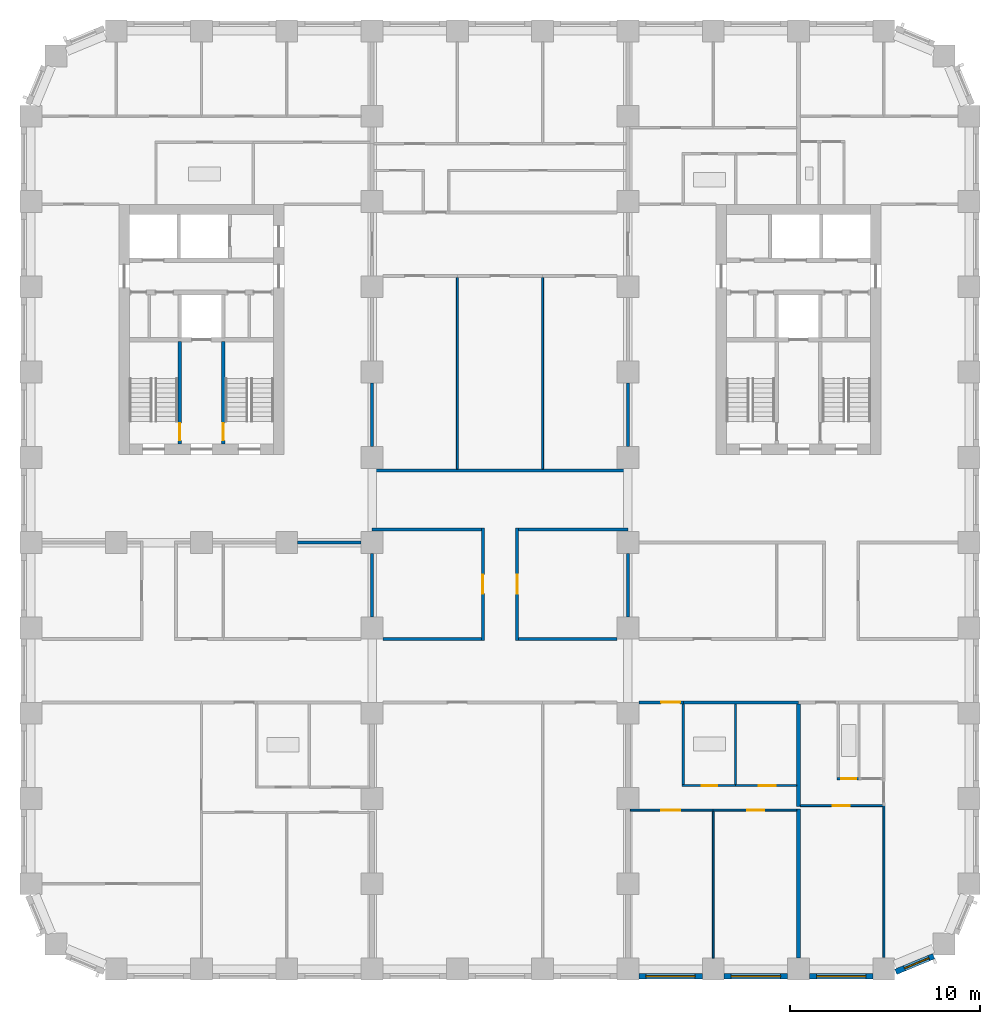
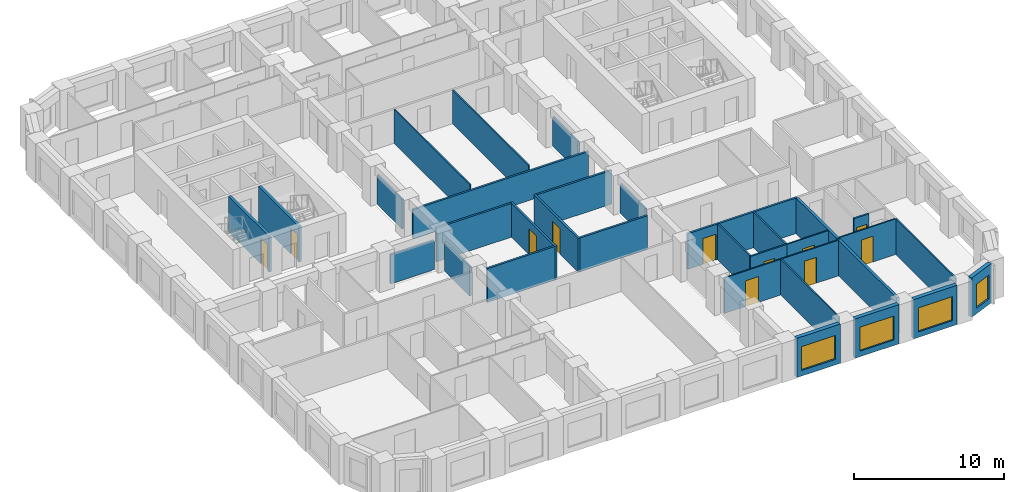
# One storey, part 4 of 13: 34 walls, 11 doors, 4 windows, 15 openings.
"""IFC4 building model written with IfcOpenShell, lengths in metres."""

from ifc_helpers import new_model, si_unit, direction, frame, frame_2d, origin, place, context, subcontext, project, spatial, rectangle, extrude, material, layer, layer_set, type_object, element, fill, save


model = new_model("IFC4")

# Units and contexts
model_context = context("Model", 3, precision=1e-05, world=origin(), true_north=direction((0.0, 1.0)))
body_context = subcontext(model_context, "Body", "Model", "MODEL_VIEW")
ifc_project = project(units=[si_unit("LENGTHUNIT", "METRE"), si_unit("AREAUNIT", "SQUARE_METRE"), si_unit("VOLUMEUNIT", "CUBIC_METRE"), si_unit("PLANEANGLEUNIT", "RADIAN"), si_unit("MASSUNIT", "GRAM", prefix="KILO")], contexts=[model_context])

# Site, building, storey
site_placement = place(None, origin())
site = spatial("IfcSite", under=ifc_project, at=site_placement, CompositionType="ELEMENT")
building_placement = place(site_placement, origin())
building = spatial("IfcBuilding", under=site, at=building_placement, Name="Girih Gate Residences", CompositionType="ELEMENT")
storey_placement = place(building_placement, frame((0.0, 0.0, 92.800048828125)))
storey = spatial("IfcBuildingStorey", under=building, at=storey_placement, Name="L25", CompositionType="ELEMENT", Elevation=92.800048828125)

# Wall
ifc_material_1 = material(Name="Gypsum board on steel studs", Category="steel")
ifc_layer_1 = layer(ifc_material_1, 0.14990234375)
ifc_layer_set_1 = layer_set([ifc_layer_1], Name="Compartment wall 150 mm")
wall_type_1 = type_object("IfcWallType", Name="Compartment wall 150 mm", PredefinedType="PARTITIONING", material=ifc_layer_set_1)
wall_1_placement = place(storey_placement, frame((34.425048828125, 14.074951171875, 0.0), z_axis=(0.0, 0.0, 1.0), x_axis=(1.0, 0.0, 0.0)))
element("IfcWall", 1, at=wall_1_placement, inside=storey, type_object=wall_type_1, Name="L25 partition", PredefinedType="PARTITIONING", context=body_context, shape_type="SweptSolid", body=[
    extrude(rectangle(XDim=6.074951171875, YDim=0.14990234375, at=frame_2d((3.03759765625, 0.0))), origin(), (0.0, 0.0, 1.0), 2.89990234375),
])

# Wall, opening, door
wall_2_placement = place(storey_placement, frame((34.425048828125, 14.074951171875, 0.0), z_axis=(0.0, 0.0, 1.0), x_axis=(-1.0, 0.0, 0.0)))
wall_2 = element("IfcWall", 2, at=wall_2_placement, inside=storey, type_object=wall_type_1, Name="L25 partition", PredefinedType="PARTITIONING", context=body_context, shape_type="SweptSolid", body=[
    extrude(rectangle(XDim=2.35009765625, YDim=0.14990234375, at=frame_2d((1.175048828125, 0.0))), origin(), (0.0, 0.0, 1.0), 2.89990234375),
])
opening_1_placement = place(wall_2_placement, frame((0.175048828125, 0.0, 0.0)))
opening_1 = element("IfcOpeningElement", 3, at=opening_1_placement, cuts=wall_2, Name="Opening A25-024", PredefinedType="OPENING", context=body_context, shape_type="SweptSolid", body=[
    extrude(rectangle(XDim=1.0, YDim=2.10009765625, at=frame_2d((0.5, 1.050048828125))), frame((0.0, 0.0849609375, 0.0), z_axis=(0.0, -1.0, 0.0), x_axis=(1.0, 0.0, 0.0)), (0.0, 0.0, 1.0), 0.169921875),
])
ifc_material_2 = material(Name="Timber, fire-rated core", Category="wood")
door_type_1 = type_object("IfcDoorType", Name="Flat entrance door 1000x2100 FD30S", OperationType="NOTDEFINED", PredefinedType="DOOR", material=ifc_material_2)
door_1_placement = place(opening_1_placement, origin())
door_1 = element("IfcDoor", 4, at=door_1_placement, inside=storey, type_object=door_type_1, Name="Door A25-024", OperationType="SINGLE_SWING_LEFT", OverallHeight=2.10009765625, OverallWidth=1.0, PredefinedType="DOOR", context=body_context, shape_type="SweptSolid", body=[
    extrude(rectangle(XDim=1.0, YDim=2.10009765625, at=frame_2d((0.5, 1.050048828125))), frame((0.0, 0.02490234375, 0.0), z_axis=(0.0, -1.0, 0.0), x_axis=(1.0, 0.0, 0.0)), (0.0, 0.0, 1.0), 0.050048828125),
])
fill(opening_1, door_1)

wall_3_placement = place(storey_placement, frame((23.85009765625, 17.35009765625, 0.0), z_axis=(0.0, 0.0, 1.0), x_axis=(0.0, 1.0, 0.0)))
wall_3 = element("IfcWall", 5, at=wall_3_placement, inside=storey, type_object=wall_type_1, Name="L25 partition", PredefinedType="PARTITIONING", context=body_context, shape_type="SweptSolid", body=[
    extrude(rectangle(XDim=5.9248046875, YDim=0.14990234375, at=frame_2d((2.96240234375, 0.0))), origin(), (0.0, 0.0, 1.0), 2.75),
])
opening_2_placement = place(wall_3_placement, frame((2.46240234375, 0.0, 0.0)))
opening_2 = element("IfcOpeningElement", 6, at=opening_2_placement, cuts=wall_3, Name="Opening A25-048", PredefinedType="OPENING", context=body_context, shape_type="SweptSolid", body=[
    extrude(rectangle(XDim=1.0, YDim=2.10009765625, at=frame_2d((0.5, 1.050048828125))), frame((0.0, 0.0849609375, 0.0), z_axis=(0.0, -1.0, 0.0), x_axis=(1.0, 0.0, 0.0)), (0.0, 0.0, 1.0), 0.169921875),
])
door_type_2 = type_object("IfcDoorType", Name="Amenity room door 1000x2100 FD30S", OperationType="NOTDEFINED", PredefinedType="DOOR", material=ifc_material_2)
door_2_placement = place(opening_2_placement, origin())
door_2 = element("IfcDoor", 7, at=door_2_placement, inside=storey, type_object=door_type_2, Name="Door A25-048", OperationType="SINGLE_SWING_RIGHT", OverallHeight=2.10009765625, OverallWidth=1.0, PredefinedType="DOOR", context=body_context, shape_type="SweptSolid", body=[
    extrude(rectangle(XDim=1.0, YDim=2.10009765625, at=frame_2d((0.5, 1.050048828125))), frame((0.0, 0.02490234375, 0.0), z_axis=(0.0, -1.0, 0.0), x_axis=(1.0, 0.0, 0.0)), (0.0, 0.0, 1.0), 0.050048828125),
])
fill(opening_2, door_2)

wall_4_placement = place(storey_placement, frame((25.64990234375, 23.27490234375, 0.0), z_axis=(0.0, 0.0, 1.0), x_axis=(0.0, -1.0, 0.0)))
wall_4 = element("IfcWall", 8, at=wall_4_placement, inside=storey, type_object=wall_type_1, Name="L25 partition", PredefinedType="PARTITIONING", context=body_context, shape_type="SweptSolid", body=[
    extrude(rectangle(XDim=5.9248046875, YDim=0.14990234375, at=frame_2d((2.96240234375, 0.0))), origin(), (0.0, 0.0, 1.0), 2.75),
])
opening_3_placement = place(wall_4_placement, frame((2.46240234375, 0.0, 0.0)))
opening_3 = element("IfcOpeningElement", 9, at=opening_3_placement, cuts=wall_4, Name="Opening A25-049", PredefinedType="OPENING", context=body_context, shape_type="SweptSolid", body=[
    extrude(rectangle(XDim=1.0, YDim=2.10009765625, at=frame_2d((0.5, 1.050048828125))), frame((0.0, 0.0849609375, 0.0), z_axis=(0.0, -1.0, 0.0), x_axis=(1.0, 0.0, 0.0)), (0.0, 0.0, 1.0), 0.169921875),
])
door_3_placement = place(opening_3_placement, origin())
door_3 = element("IfcDoor", 10, at=door_3_placement, inside=storey, type_object=door_type_2, Name="Door A25-049", OperationType="SINGLE_SWING_RIGHT", OverallHeight=2.10009765625, OverallWidth=1.0, PredefinedType="DOOR", context=body_context, shape_type="SweptSolid", body=[
    extrude(rectangle(XDim=1.0, YDim=2.10009765625, at=frame_2d((0.5, 1.050048828125))), frame((0.0, 0.02490234375, 0.0), z_axis=(0.0, -1.0, 0.0), x_axis=(1.0, 0.0, 0.0)), (0.0, 0.0, 1.0), 0.050048828125),
])
fill(opening_3, door_3)

# Walls
for number, where, z_axis, x_axis, name in (
    (11, (18.574951171875, 17.425048828125, 0.0), (0.0, 0.0, 1.0), (1.0, 0.0, 0.0), "L25 partition"),
    (12, (25.72509765625, 17.425048828125, 0.0), (0.0, 0.0, 1.0), (1.0, 0.0, 0.0), "L25 partition"),
):
    element("IfcWall", number, at=place(storey_placement, frame(where, z_axis=z_axis, x_axis=x_axis)), inside=storey, type_object=wall_type_1, Name=name, PredefinedType="PARTITIONING", context=body_context, shape_type="SweptSolid", body=[
        extrude(rectangle(XDim=5.199951171875, YDim=0.14990234375, at=frame_2d((2.60009765625, 0.0))), origin(), (0.0, 0.0, 1.0), 2.75),
    ])
wall_5_placement = place(storey_placement, frame((18.0, 27.574951171875, 0.0), z_axis=(0.0, 0.0, 1.0), x_axis=(0.0, 1.0, 0.0)))
element("IfcWall", 13, at=wall_5_placement, inside=storey, type_object=wall_type_1, Name="L25 partition", PredefinedType="PARTITIONING", context=body_context, shape_type="SweptSolid", body=[
    extrude(rectangle(XDim=3.35009765625, YDim=0.14990234375, at=frame_2d((1.675048828125, 0.0))), origin(), (0.0, 0.0, 1.0), 2.3798828125),
])
wall_6_placement = place(storey_placement, frame((18.0, 26.300048828125, 0.0), z_axis=(0.0, 0.0, 1.0), x_axis=(1.0, 0.0, 0.0)))
element("IfcWall", 14, at=wall_6_placement, inside=storey, type_object=wall_type_1, Name="L25 partition", PredefinedType="PARTITIONING", context=body_context, shape_type="SweptSolid", body=[
    extrude(rectangle(XDim=13.5, YDim=0.14990234375, at=frame_2d((6.75, 0.0))), origin(), (0.0, 0.0, 1.0), 2.3798828125),
])
wall_7_placement = place(storey_placement, frame((31.5, 27.574951171875, 0.0), z_axis=(0.0, 0.0, 1.0), x_axis=(0.0, 1.0, 0.0)))
element("IfcWall", 15, at=wall_7_placement, inside=storey, type_object=wall_type_1, Name="L25 partition", PredefinedType="PARTITIONING", context=body_context, shape_type="SweptSolid", body=[
    extrude(rectangle(XDim=3.35009765625, YDim=0.14990234375, at=frame_2d((1.675048828125, 0.0))), origin(), (0.0, 0.0, 1.0), 2.3798828125),
])
wall_8_placement = place(storey_placement, frame((18.0, 23.199951171875, 0.0), z_axis=(0.0, 0.0, 1.0), x_axis=(1.0, 0.0, 0.0)))
element("IfcWall", 16, at=wall_8_placement, inside=storey, type_object=wall_type_1, Name="L25 partition", PredefinedType="PARTITIONING", context=body_context, shape_type="SweptSolid", body=[
    extrude(rectangle(XDim=5.77490234375, YDim=0.14990234375, at=frame_2d((2.887451171875, 0.0))), origin(), (0.0, 0.0, 1.0), 2.75),
])
wall_9_placement = place(storey_placement, frame((18.0, 18.574951171875, 0.0), z_axis=(0.0, 0.0, 1.0), x_axis=(0.0, 1.0, 0.0)))
element("IfcWall", 17, at=wall_9_placement, inside=storey, type_object=wall_type_1, Name="L25 partition", PredefinedType="PARTITIONING", context=body_context, shape_type="SweptSolid", body=[
    extrude(rectangle(XDim=3.35009765625, YDim=0.14990234375, at=frame_2d((1.675048828125, 0.0))), origin(), (0.0, 0.0, 1.0), 2.3798828125),
])
wall_10_placement = place(storey_placement, frame((25.72509765625, 23.199951171875, 0.0), z_axis=(0.0, 0.0, 1.0), x_axis=(1.0, 0.0, 0.0)))
element("IfcWall", 18, at=wall_10_placement, inside=storey, type_object=wall_type_1, Name="L25 partition", PredefinedType="PARTITIONING", context=body_context, shape_type="SweptSolid", body=[
    extrude(rectangle(XDim=5.77490234375, YDim=0.14990234375, at=frame_2d((2.887451171875, 0.0))), origin(), (0.0, 0.0, 1.0), 2.75),
])
for number, where, z_axis, x_axis, name in (
    (19, (31.5, 18.574951171875, 0.0), (0.0, 0.0, 1.0), (0.0, 1.0, 0.0), "L25 partition"),
    (20, (14.074951171875, 22.5, 0.0), (0.0, 0.0, 1.0), (1.0, 0.0, 0.0), "L25 partition"),
):
    element("IfcWall", number, at=place(storey_placement, frame(where, z_axis=z_axis, x_axis=x_axis)), inside=storey, type_object=wall_type_1, Name=name, PredefinedType="PARTITIONING", context=body_context, shape_type="SweptSolid", body=[
        extrude(rectangle(XDim=3.35009765625, YDim=0.14990234375, at=frame_2d((1.675048828125, 0.0))), origin(), (0.0, 0.0, 1.0), 2.3798828125),
    ])

# Wall, opening, door
ifc_layer_2 = layer(ifc_material_1, 0.10009765625)
ifc_layer_set_2 = layer_set([ifc_layer_2], Name="Partition 100 mm")
wall_type_2 = type_object("IfcWallType", Name="Partition 100 mm", PredefinedType="PARTITIONING", material=ifc_layer_set_2)
wall_11_placement = place(storey_placement, frame((44.949951171875, 8.625, 0.0), z_axis=(0.0, 0.0, 1.0), x_axis=(-1.0, 0.0, 0.0)))
wall_11 = element("IfcWall", 21, at=wall_11_placement, inside=storey, type_object=wall_type_2, Name="L25 partition", PredefinedType="PARTITIONING", context=body_context, shape_type="SweptSolid", body=[
    extrude(rectangle(XDim=4.349853515625, YDim=0.10009765625, at=frame_2d((2.1748046875, 0.0))), origin(), (0.0, 0.0, 1.0), 2.89990234375),
])
opening_4_placement = place(wall_11_placement, frame((1.75, 0.0, 0.0)))
opening_4 = element("IfcOpeningElement", 22, at=opening_4_placement, cuts=wall_11, Name="Opening A25-016", PredefinedType="OPENING", context=body_context, shape_type="SweptSolid", body=[
    extrude(rectangle(XDim=0.89990234375, YDim=2.10009765625, at=frame_2d((0.449951171875, 1.050048828125))), frame((0.0, 0.06005859375, 0.0), z_axis=(0.0, -1.0, 0.0), x_axis=(1.0, 0.0, 0.0)), (0.0, 0.0, 1.0), 0.1201171875),
])
ifc_material_3 = material(Name="Timber", Category="wood")
door_type_3 = type_object("IfcDoorType", Name="Bedroom door 900x2100", OperationType="NOTDEFINED", PredefinedType="DOOR", material=ifc_material_3)
door_4_placement = place(opening_4_placement, origin())
door_4 = element("IfcDoor", 23, at=door_4_placement, inside=storey, type_object=door_type_3, Name="Door A25-016", OperationType="SINGLE_SWING_RIGHT", OverallHeight=2.10009765625, OverallWidth=0.89990234375, PredefinedType="DOOR", context=body_context, shape_type="SweptSolid", body=[
    extrude(rectangle(XDim=0.89990234375, YDim=2.10009765625, at=frame_2d((0.449951171875, 1.050048828125))), frame((0.0, 0.02490234375, 0.0), z_axis=(0.0, -1.0, 0.0), x_axis=(1.0, 0.0, 0.0)), (0.0, 0.0, 1.0), 0.050048828125),
])
fill(opening_4, door_4)

# Wall
wall_12_placement = place(storey_placement, frame((45.0, 0.622314453125, 0.0), z_axis=(0.0, 0.0, 1.0), x_axis=(0.0, 1.0, 0.0)))
element("IfcWall", 24, at=wall_12_placement, inside=storey, type_object=wall_type_2, Name="L25 partition", PredefinedType="PARTITIONING", context=body_context, shape_type="SweptSolid", body=[
    extrude(rectangle(XDim=8.002685546875, YDim=0.10009765625, at=frame_2d((4.00146484375, 0.0))), origin(), (0.0, 0.0, 1.0), 2.89990234375),
])

# Wall, opening, door
wall_13_placement = place(storey_placement, frame((40.39990234375, 8.385009765625, 0.0), z_axis=(0.0, 0.0, 1.0), x_axis=(-1.0, 0.0, 0.0)))
wall_13 = element("IfcWall", 25, at=wall_13_placement, inside=storey, type_object=wall_type_2, Name="L25 partition", PredefinedType="PARTITIONING", context=body_context, shape_type="SweptSolid", body=[
    extrude(rectangle(XDim=4.39990234375, YDim=0.10009765625, at=frame_2d((2.199951171875, 0.0))), origin(), (0.0, 0.0, 1.0), 2.89990234375),
])
opening_5_placement = place(wall_13_placement, frame((1.699951171875, 0.0, 0.0)))
opening_5 = element("IfcOpeningElement", 26, at=opening_5_placement, cuts=wall_13, Name="Opening A25-021", PredefinedType="OPENING", context=body_context, shape_type="SweptSolid", body=[
    extrude(rectangle(XDim=0.89990234375, YDim=2.10009765625, at=frame_2d((0.449951171875, 1.050048828125))), frame((0.0, 0.06005859375, 0.0), z_axis=(0.0, -1.0, 0.0), x_axis=(1.0, 0.0, 0.0)), (0.0, 0.0, 1.0), 0.1201171875),
])
door_5_placement = place(opening_5_placement, origin())
door_5 = element("IfcDoor", 27, at=door_5_placement, inside=storey, type_object=door_type_3, Name="Door A25-021", OperationType="SINGLE_SWING_LEFT", OverallHeight=2.10009765625, OverallWidth=0.89990234375, PredefinedType="DOOR", context=body_context, shape_type="SweptSolid", body=[
    extrude(rectangle(XDim=0.89990234375, YDim=2.10009765625, at=frame_2d((0.449951171875, 1.050048828125))), frame((0.0, 0.02490234375, 0.0), z_axis=(0.0, -1.0, 0.0), x_axis=(1.0, 0.0, 0.0)), (0.0, 0.0, 1.0), 0.050048828125),
])
fill(opening_5, door_5)

# Wall
wall_14_placement = place(storey_placement, frame((36.0, 0.574951171875, 0.0), z_axis=(0.0, 0.0, 1.0), x_axis=(0.0, 1.0, 0.0)))
element("IfcWall", 28, at=wall_14_placement, inside=storey, type_object=wall_type_2, Name="L25 partition", PredefinedType="PARTITIONING", context=body_context, shape_type="SweptSolid", body=[
    extrude(rectangle(XDim=7.760009765625, YDim=0.10009765625, at=frame_2d((3.8798828125, 0.0))), origin(), (0.0, 0.0, 1.0), 2.89990234375),
])

# Wall, opening, door
wall_15_placement = place(storey_placement, frame((37.17822265625, 9.68505859375, 0.0), z_axis=(0.0, 0.0, 1.0), x_axis=(1.0, 0.0, 0.0)))
wall_15 = element("IfcWall", 29, at=wall_15_placement, inside=storey, type_object=wall_type_2, Name="L25 partition", PredefinedType="PARTITIONING", context=body_context, shape_type="SweptSolid", body=[
    extrude(rectangle(XDim=3.2216796875, YDim=0.10009765625, at=frame_2d((1.61083984375, 0.0))), origin(), (0.0, 0.0, 1.0), 2.89990234375),
])
opening_6_placement = place(wall_15_placement, frame((1.2109375, 0.0, 0.0)))
opening_6 = element("IfcOpeningElement", 30, at=opening_6_placement, cuts=wall_15, Name="Opening A25-022", PredefinedType="OPENING", context=body_context, shape_type="SweptSolid", body=[
    extrude(rectangle(XDim=0.89990234375, YDim=2.10009765625, at=frame_2d((0.449951171875, 1.050048828125))), frame((0.0, 0.06005859375, 0.0), z_axis=(0.0, -1.0, 0.0), x_axis=(1.0, 0.0, 0.0)), (0.0, 0.0, 1.0), 0.1201171875),
])
door_type_4 = type_object("IfcDoorType", Name="Kitchen door 900x2100", OperationType="NOTDEFINED", PredefinedType="DOOR", material=ifc_material_3)
door_6_placement = place(opening_6_placement, origin())
door_6 = element("IfcDoor", 31, at=door_6_placement, inside=storey, type_object=door_type_4, Name="Door A25-022", OperationType="SINGLE_SWING_RIGHT", OverallHeight=2.10009765625, OverallWidth=0.89990234375, PredefinedType="DOOR", context=body_context, shape_type="SweptSolid", body=[
    extrude(rectangle(XDim=0.89990234375, YDim=2.10009765625, at=frame_2d((0.449951171875, 1.050048828125))), frame((0.0, 0.02490234375, 0.0), z_axis=(0.0, -1.0, 0.0), x_axis=(1.0, 0.0, 0.0)), (0.0, 0.0, 1.0), 0.050048828125),
])
fill(opening_6, door_6)

wall_16_placement = place(storey_placement, frame((36.0, 8.385009765625, 0.0), z_axis=(0.0, 0.0, 1.0), x_axis=(-1.0, 0.0, 0.0)))
wall_16 = element("IfcWall", 32, at=wall_16_placement, inside=storey, type_object=wall_type_2, Name="L25 partition", PredefinedType="PARTITIONING", context=body_context, shape_type="SweptSolid", body=[
    extrude(rectangle(XDim=4.375, YDim=0.10009765625, at=frame_2d((2.1875, 0.0))), origin(), (0.0, 0.0, 1.0), 2.89990234375),
])
opening_7_placement = place(wall_16_placement, frame((1.75, 0.0, 0.0)))
opening_7 = element("IfcOpeningElement", 33, at=opening_7_placement, cuts=wall_16, Name="Opening A25-023", PredefinedType="OPENING", context=body_context, shape_type="SweptSolid", body=[
    extrude(rectangle(XDim=1.0, YDim=2.10009765625, at=frame_2d((0.5, 1.050048828125))), frame((0.0, 0.06005859375, 0.0), z_axis=(0.0, -1.0, 0.0), x_axis=(1.0, 0.0, 0.0)), (0.0, 0.0, 1.0), 0.1201171875),
])
door_type_5 = type_object("IfcDoorType", Name="Living room door 1000x2100", OperationType="NOTDEFINED", PredefinedType="DOOR", material=ifc_material_3)
door_7_placement = place(opening_7_placement, origin())
door_7 = element("IfcDoor", 34, at=door_7_placement, inside=storey, type_object=door_type_5, Name="Door A25-023", OperationType="SINGLE_SWING_RIGHT", OverallHeight=2.10009765625, OverallWidth=1.0, PredefinedType="DOOR", context=body_context, shape_type="SweptSolid", body=[
    extrude(rectangle(XDim=1.0, YDim=2.10009765625, at=frame_2d((0.5, 1.050048828125))), frame((0.0, 0.02490234375, 0.0), z_axis=(0.0, -1.0, 0.0), x_axis=(1.0, 0.0, 0.0)), (0.0, 0.0, 1.0), 0.050048828125),
])
fill(opening_7, door_7)

# Walls
for number, where, z_axis, x_axis, name in (
    (35, (22.5, 26.375, 0.0), (0.0, 0.0, 1.0), (0.0, 1.0, 0.0), "L25 partition"),
    (36, (27.0, 26.375, 0.0), (0.0, 0.0, 1.0), (0.0, 1.0, 0.0), "L25 partition"),
):
    element("IfcWall", number, at=place(storey_placement, frame(where, z_axis=z_axis, x_axis=x_axis)), inside=storey, type_object=wall_type_2, Name=name, PredefinedType="PARTITIONING", context=body_context, shape_type="SweptSolid", body=[
        extrude(rectangle(XDim=10.125, YDim=0.10009765625, at=frame_2d((5.0625, 0.0))), origin(), (0.0, 0.0, 1.0), 2.75),
    ])
ifc_layer_3 = layer(ifc_material_1, 0.199951171875)
ifc_layer_set_3 = layer_set([ifc_layer_3], Name="Party wall 200 mm")
wall_type_3 = type_object("IfcWallType", Name="Party wall 200 mm", PredefinedType="PARTITIONING", material=ifc_layer_set_3)
wall_17_placement = place(storey_placement, frame((40.5, 0.574951171875, 0.0), z_axis=(0.0, 0.0, 1.0), x_axis=(0.0, 1.0, 0.0)))
element("IfcWall", 37, at=wall_17_placement, inside=storey, type_object=wall_type_3, Name="L25 partition", PredefinedType="PARTITIONING", context=body_context, shape_type="SweptSolid", body=[
    extrude(rectangle(XDim=7.860107421875, YDim=0.199951171875, at=frame_2d((3.93017578125, 0.0))), origin(), (0.0, 0.0, 1.0), 2.89990234375),
])
wall_18_placement = place(storey_placement, frame((40.5, 8.574951171875, 0.0), z_axis=(0.0, 0.0, 1.0), x_axis=(0.0, 1.0, 0.0)))
element("IfcWall", 38, at=wall_18_placement, inside=storey, type_object=wall_type_3, Name="L25 partition", PredefinedType="PARTITIONING", context=body_context, shape_type="SweptSolid", body=[
    extrude(rectangle(XDim=5.425048828125, YDim=0.199951171875, at=frame_2d((2.71240234375, 0.0))), origin(), (0.0, 0.0, 1.0), 2.89990234375),
])

# Wall, opening, window
ifc_material_4 = material(Name="Precast concrete C50/60", Category="concrete")
ifc_layer_4 = layer(ifc_material_4, 0.080078125, Name="Outer leaf")
ifc_material_5 = material(Name="Rigid PIR insulation")
ifc_layer_5 = layer(ifc_material_5, 0.14990234375, Name="Insulation")
ifc_material_6 = material(Name="Precast concrete C40/50", Category="concrete")
ifc_layer_6 = layer(ifc_material_6, 0.070068359375, Name="Inner leaf")
ifc_layer_set_4 = layer_set([ifc_layer_4, ifc_layer_5, ifc_layer_6], Name="Precast concrete C50/60 external wall 300")
wall_type_4 = type_object("IfcWallType", Name="Precast concrete C50/60 external wall 300", PredefinedType="SOLIDWALL", material=ifc_layer_set_4)
wall_19_placement = place(storey_placement, frame((35.425048828125, -0.375, 0.0), z_axis=(0.0, 0.0, 1.0), x_axis=(-1.0, 0.0, 0.0)))
wall_19 = element("IfcWall", 39, at=wall_19_placement, inside=storey, type_object=wall_type_4, Name="External wall S0045_0000.6", PredefinedType="SOLIDWALL", context=body_context, shape_type="SweptSolid", body=[
    extrude(rectangle(XDim=3.35009765625, YDim=0.300048828125, at=frame_2d((1.675048828125, 0.0))), origin(), (0.0, 0.0, 1.0), 3.199951171875),
])
opening_8_placement = place(wall_19_placement, frame((0.375, 0.0, 0.449951171875)))
opening_8 = element("IfcOpeningElement", 40, at=opening_8_placement, cuts=wall_19, Name="Opening W-1A", PredefinedType="OPENING", context=body_context, shape_type="SweptSolid", body=[
    extrude(rectangle(XDim=2.60009765625, YDim=1.949951171875, at=frame_2d((1.300048828125, 0.97509765625))), frame((0.0, 0.159912109375, 0.0), z_axis=(0.0, -1.0, 0.0), x_axis=(1.0, 0.0, 0.0)), (0.0, 0.0, 1.0), 0.320068359375),
])
ifc_material_7 = material(Name="Double glazing in aluminium frame", Category="aluminium")
window_type_1 = type_object("IfcWindowType", Name="Window W-1A 2600x1950", PartitioningType="SINGLE_PANEL", PredefinedType="WINDOW", material=ifc_material_7)
window_1_placement = place(opening_8_placement, origin())
window_1 = element("IfcWindow", 41, at=window_1_placement, inside=storey, type_object=window_type_1, Name="Window W-1A S0045_0000.6", OverallHeight=1.949951171875, OverallWidth=2.60009765625, PartitioningType="SINGLE_PANEL", PredefinedType="WINDOW", context=body_context, shape_type="SweptSolid", body=[
    extrude(rectangle(XDim=2.60009765625, YDim=1.949951171875, at=frame_2d((1.300048828125, 0.97509765625))), frame((0.0, 0.030029296875, 0.0), z_axis=(0.0, -1.0, 0.0), x_axis=(1.0, 0.0, 0.0)), (0.0, 0.0, 1.0), 0.06005859375),
])
fill(opening_8, window_1)

wall_20_placement = place(storey_placement, frame((39.925048828125, -0.375, 0.0), z_axis=(0.0, 0.0, 1.0), x_axis=(-1.0, 0.0, 0.0)))
wall_20 = element("IfcWall", 42, at=wall_20_placement, inside=storey, type_object=wall_type_4, Name="External wall S0045_0000.7", PredefinedType="SOLIDWALL", context=body_context, shape_type="SweptSolid", body=[
    extrude(rectangle(XDim=3.35009765625, YDim=0.300048828125, at=frame_2d((1.675048828125, 0.0))), origin(), (0.0, 0.0, 1.0), 3.199951171875),
])
opening_9_placement = place(wall_20_placement, frame((0.375, 0.0, 0.449951171875)))
opening_9 = element("IfcOpeningElement", 43, at=opening_9_placement, cuts=wall_20, Name="Opening W-1A", PredefinedType="OPENING", context=body_context, shape_type="SweptSolid", body=[
    extrude(rectangle(XDim=2.60009765625, YDim=1.949951171875, at=frame_2d((1.300048828125, 0.97509765625))), frame((0.0, 0.159912109375, 0.0), z_axis=(0.0, -1.0, 0.0), x_axis=(1.0, 0.0, 0.0)), (0.0, 0.0, 1.0), 0.320068359375),
])
window_2_placement = place(opening_9_placement, origin())
window_2 = element("IfcWindow", 44, at=window_2_placement, inside=storey, type_object=window_type_1, Name="Window W-1A S0045_0000.7", OverallHeight=1.949951171875, OverallWidth=2.60009765625, PartitioningType="SINGLE_PANEL", PredefinedType="WINDOW", context=body_context, shape_type="SweptSolid", body=[
    extrude(rectangle(XDim=2.60009765625, YDim=1.949951171875, at=frame_2d((1.300048828125, 0.97509765625))), frame((0.0, 0.030029296875, 0.0), z_axis=(0.0, -1.0, 0.0), x_axis=(1.0, 0.0, 0.0)), (0.0, 0.0, 1.0), 0.06005859375),
])
fill(opening_9, window_2)

wall_21_placement = place(storey_placement, frame((44.425048828125, -0.375, 0.0), z_axis=(0.0, 0.0, 1.0), x_axis=(-1.0, 0.0, 0.0)))
wall_21 = element("IfcWall", 45, at=wall_21_placement, inside=storey, type_object=wall_type_4, Name="External wall S0045_0000.8", PredefinedType="SOLIDWALL", context=body_context, shape_type="SweptSolid", body=[
    extrude(rectangle(XDim=3.35009765625, YDim=0.300048828125, at=frame_2d((1.675048828125, 0.0))), origin(), (0.0, 0.0, 1.0), 3.199951171875),
])
opening_10_placement = place(wall_21_placement, frame((0.375, 0.0, 0.449951171875)))
opening_10 = element("IfcOpeningElement", 46, at=opening_10_placement, cuts=wall_21, Name="Opening W-1A", PredefinedType="OPENING", context=body_context, shape_type="SweptSolid", body=[
    extrude(rectangle(XDim=2.60009765625, YDim=1.949951171875, at=frame_2d((1.300048828125, 0.97509765625))), frame((0.0, 0.159912109375, 0.0), z_axis=(0.0, -1.0, 0.0), x_axis=(1.0, 0.0, 0.0)), (0.0, 0.0, 1.0), 0.320068359375),
])
window_3_placement = place(opening_10_placement, origin())
window_3 = element("IfcWindow", 47, at=window_3_placement, inside=storey, type_object=window_type_1, Name="Window W-1A S0045_0000.8", OverallHeight=1.949951171875, OverallWidth=2.60009765625, PartitioningType="SINGLE_PANEL", PredefinedType="WINDOW", context=body_context, shape_type="SweptSolid", body=[
    extrude(rectangle(XDim=2.60009765625, YDim=1.949951171875, at=frame_2d((1.300048828125, 0.97509765625))), frame((0.0, 0.030029296875, 0.0), z_axis=(0.0, -1.0, 0.0), x_axis=(1.0, 0.0, 0.0)), (0.0, 0.0, 1.0), 0.06005859375),
])
fill(opening_10, window_3)

wall_22_placement = place(storey_placement, frame((47.63134765625, 0.68408203125, 0.0), z_axis=(0.0, 0.0, 1.0), x_axis=(-0.923862802911, -0.382723818695, 0.0)))
wall_22 = element("IfcWall", 48, at=wall_22_placement, inside=storey, type_object=wall_type_4, Name="External wall SE0450_0000.0", PredefinedType="SOLIDWALL", context=body_context, shape_type="SweptSolid", body=[
    extrude(rectangle(XDim=2.163818359375, YDim=0.300048828125, at=frame_2d((1.08203125, 0.0))), origin(), (0.0, 0.0, 1.0), 3.199951171875),
])
opening_11_placement = place(wall_22_placement, frame((0.270751953125, 0.0, 0.449951171875)))
opening_11 = element("IfcOpeningElement", 49, at=opening_11_placement, cuts=wall_22, Name="Opening W-2D", PredefinedType="OPENING", context=body_context, shape_type="SweptSolid", body=[
    extrude(rectangle(XDim=1.39990234375, YDim=1.949951171875, at=frame_2d((0.699951171875, 0.97509765625))), frame((0.0, 0.159912109375, 0.0), z_axis=(0.0, -1.0, 0.0), x_axis=(1.0, 0.0, 0.0)), (0.0, 0.0, 1.0), 0.320068359375),
])
window_type_2 = type_object("IfcWindowType", Name="Window W-2D 1400x1950", PartitioningType="SINGLE_PANEL", PredefinedType="WINDOW", material=ifc_material_7)
window_4_placement = place(opening_11_placement, origin())
window_4 = element("IfcWindow", 50, at=window_4_placement, inside=storey, type_object=window_type_2, Name="Window W-2D SE0450_0000.0", OverallHeight=1.949951171875, OverallWidth=1.39990234375, PartitioningType="SINGLE_PANEL", PredefinedType="WINDOW", context=body_context, shape_type="SweptSolid", body=[
    extrude(rectangle(XDim=1.39990234375, YDim=1.949951171875, at=frame_2d((0.699951171875, 0.97509765625))), frame((0.0, 0.030029296875, 0.0), z_axis=(0.0, -1.0, 0.0), x_axis=(1.0, 0.0, 0.0)), (0.0, 0.0, 1.0), 0.06005859375),
])
fill(opening_11, window_4)

# Wall, opening, door
ifc_material_8 = material(Name="Concrete C40/50", Category="concrete")
ifc_layer_7 = layer(ifc_material_8, 0.199951171875)
ifc_layer_set_5 = layer_set([ifc_layer_7], Name="Shaft wall 200")
wall_type_5 = type_object("IfcWallType", Name="Shaft wall 200", PredefinedType="SOLIDWALL", material=ifc_layer_set_5)
wall_23_placement = place(storey_placement, frame((7.85009765625, 27.699951171875, 0.0), z_axis=(0.0, 0.0, 1.0), x_axis=(0.0, 1.0, 0.0)))
wall_23 = element("IfcWall", 51, at=wall_23_placement, inside=storey, type_object=wall_type_5, Name="L25 W core wall V1a", PredefinedType="SOLIDWALL", context=body_context, shape_type="SweptSolid", body=[
    extrude(rectangle(XDim=5.400146484375, YDim=0.199951171875, at=frame_2d((2.7001953125, 0.0))), origin(), (0.0, 0.0, 1.0), 2.89990234375),
])
opening_12_placement = place(wall_23_placement, frame((0.199951171875, 0.0, 0.0)))
opening_12 = element("IfcOpeningElement", 52, at=opening_12_placement, cuts=wall_23, Name="Opening D-L25-W-001", PredefinedType="OPENING", context=body_context, shape_type="SweptSolid", body=[
    extrude(rectangle(XDim=0.89990234375, YDim=2.10009765625, at=frame_2d((0.449951171875, 1.050048828125))), frame((0.0, 0.10986328125, 0.0), z_axis=(0.0, -1.0, 0.0), x_axis=(1.0, 0.0, 0.0)), (0.0, 0.0, 1.0), 0.219970703125),
])
ifc_material_9 = material(Name="Painted steel, fire-resisting", Category="steel")
door_type_6 = type_object("IfcDoorType", Name="Fire door 900x2100", OperationType="SINGLE_SWING_LEFT", PredefinedType="DOOR", material=ifc_material_9)
door_8_placement = place(opening_12_placement, origin())
door_8 = element("IfcDoor", 53, at=door_8_placement, inside=storey, type_object=door_type_6, Name="L25 W door stair 1 to firefighting lobby", OperationType="SINGLE_SWING_LEFT", OverallHeight=2.10009765625, OverallWidth=0.89990234375, PredefinedType="DOOR", context=body_context, shape_type="SweptSolid", body=[
    extrude(rectangle(XDim=0.89990234375, YDim=2.10009765625, at=frame_2d((0.449951171875, 1.050048828125))), frame((0.0, 0.02490234375, 0.0), z_axis=(0.0, -1.0, 0.0), x_axis=(1.0, 0.0, 0.0)), (0.0, 0.0, 1.0), 0.050048828125),
])
fill(opening_12, door_8)

wall_24_placement = place(storey_placement, frame((10.14990234375, 27.699951171875, 0.0), z_axis=(0.0, 0.0, 1.0), x_axis=(0.0, 1.0, 0.0)))
wall_24 = element("IfcWall", 54, at=wall_24_placement, inside=storey, type_object=wall_type_5, Name="L25 W core wall V2a", PredefinedType="SOLIDWALL", context=body_context, shape_type="SweptSolid", body=[
    extrude(rectangle(XDim=5.400146484375, YDim=0.199951171875, at=frame_2d((2.7001953125, 0.0))), origin(), (0.0, 0.0, 1.0), 2.89990234375),
])
opening_13_placement = place(wall_24_placement, frame((0.199951171875, 0.0, 0.0)))
opening_13 = element("IfcOpeningElement", 55, at=opening_13_placement, cuts=wall_24, Name="Opening D-L25-W-002", PredefinedType="OPENING", context=body_context, shape_type="SweptSolid", body=[
    extrude(rectangle(XDim=0.89990234375, YDim=2.10009765625, at=frame_2d((0.449951171875, 1.050048828125))), frame((0.0, 0.10986328125, 0.0), z_axis=(0.0, -1.0, 0.0), x_axis=(1.0, 0.0, 0.0)), (0.0, 0.0, 1.0), 0.219970703125),
])
door_9_placement = place(opening_13_placement, origin())
door_9 = element("IfcDoor", 56, at=door_9_placement, inside=storey, type_object=door_type_6, Name="L25 W door stair 2 to firefighting lobby", OperationType="SINGLE_SWING_LEFT", OverallHeight=2.10009765625, OverallWidth=0.89990234375, PredefinedType="DOOR", context=body_context, shape_type="SweptSolid", body=[
    extrude(rectangle(XDim=0.89990234375, YDim=2.10009765625, at=frame_2d((0.449951171875, 1.050048828125))), frame((0.0, 0.02490234375, 0.0), z_axis=(0.0, -1.0, 0.0), x_axis=(1.0, 0.0, 0.0)), (0.0, 0.0, 1.0), 0.050048828125),
])
fill(opening_13, door_9)

ifc_layer_8 = layer(ifc_material_1, 0.125)
ifc_layer_set_6 = layer_set([ifc_layer_8], Name="Wet room wall 125 mm")
wall_type_6 = type_object("IfcWallType", Name="Wet room wall 125 mm", PredefinedType="PARTITIONING", material=ifc_layer_set_6)
wall_25_placement = place(storey_placement, frame((42.53759765625, 10.044921875, 0.0), z_axis=(0.0, 0.0, 1.0), x_axis=(1.0, 0.0, 0.0)))
wall_25 = element("IfcWall", 57, at=wall_25_placement, inside=storey, type_object=wall_type_6, Name="L25 partition", PredefinedType="PARTITIONING", context=body_context, shape_type="SweptSolid", body=[
    extrude(rectangle(XDim=1.1533203125, YDim=0.125, at=frame_2d((0.57666015625, 0.0))), origin(), (0.0, 0.0, 1.0), 2.89990234375),
])
opening_14_placement = place(wall_25_placement, frame((0.2080078125, 0.0, 0.0)))
opening_14 = element("IfcOpeningElement", 58, at=opening_14_placement, cuts=wall_25, Name="Opening A25-015", PredefinedType="OPENING", context=body_context, shape_type="SweptSolid", body=[
    extrude(rectangle(XDim=0.800048828125, YDim=2.10009765625, at=frame_2d((0.39990234375, 1.050048828125))), frame((0.0, 0.072509765625, 0.0), z_axis=(0.0, -1.0, 0.0), x_axis=(1.0, 0.0, 0.0)), (0.0, 0.0, 1.0), 0.14501953125),
])
door_type_7 = type_object("IfcDoorType", Name="Bathroom door 800x2100", OperationType="NOTDEFINED", PredefinedType="DOOR", material=ifc_material_3)
door_10_placement = place(opening_14_placement, origin())
door_10 = element("IfcDoor", 59, at=door_10_placement, inside=storey, type_object=door_type_7, Name="Door A25-015", OperationType="SINGLE_SWING_RIGHT", OverallHeight=2.10009765625, OverallWidth=0.800048828125, PredefinedType="DOOR", context=body_context, shape_type="SweptSolid", body=[
    extrude(rectangle(XDim=0.800048828125, YDim=2.10009765625, at=frame_2d((0.39990234375, 1.050048828125))), frame((0.0, 0.02490234375, 0.0), z_axis=(0.0, -1.0, 0.0), x_axis=(1.0, 0.0, 0.0)), (0.0, 0.0, 1.0), 0.050048828125),
])
fill(opening_14, door_10)

wall_26_placement = place(storey_placement, frame((34.362548828125, 9.68505859375, 0.0), z_axis=(0.0, 0.0, 1.0), x_axis=(1.0, 0.0, 0.0)))
wall_26 = element("IfcWall", 60, at=wall_26_placement, inside=storey, type_object=wall_type_6, Name="L25 partition", PredefinedType="PARTITIONING", context=body_context, shape_type="SweptSolid", body=[
    extrude(rectangle(XDim=2.815673828125, YDim=0.125, at=frame_2d((1.40771484375, 0.0))), origin(), (0.0, 0.0, 1.0), 2.89990234375),
])
opening_15_placement = place(wall_26_placement, frame((1.0390625, 0.0, 0.0)))
opening_15 = element("IfcOpeningElement", 61, at=opening_15_placement, cuts=wall_26, Name="Opening A25-020", PredefinedType="OPENING", context=body_context, shape_type="SweptSolid", body=[
    extrude(rectangle(XDim=0.800048828125, YDim=2.10009765625, at=frame_2d((0.39990234375, 1.050048828125))), frame((0.0, 0.072509765625, 0.0), z_axis=(0.0, -1.0, 0.0), x_axis=(1.0, 0.0, 0.0)), (0.0, 0.0, 1.0), 0.14501953125),
])
door_11_placement = place(opening_15_placement, origin())
door_11 = element("IfcDoor", 62, at=door_11_placement, inside=storey, type_object=door_type_7, Name="Door A25-020", OperationType="SINGLE_SWING_RIGHT", OverallHeight=2.10009765625, OverallWidth=0.800048828125, PredefinedType="DOOR", context=body_context, shape_type="SweptSolid", body=[
    extrude(rectangle(XDim=0.800048828125, YDim=2.10009765625, at=frame_2d((0.39990234375, 1.050048828125))), frame((0.0, 0.02490234375, 0.0), z_axis=(0.0, -1.0, 0.0), x_axis=(1.0, 0.0, 0.0)), (0.0, 0.0, 1.0), 0.050048828125),
])
fill(opening_15, door_11)

# Walls
for number, where, z_axis, x_axis, name in (
    (63, (34.425048828125, 9.74755859375, 0.0), (0.0, 0.0, 1.0), (0.0, 1.0, 0.0), "L25 partition"),
    (64, (37.177978515625, 9.74755859375, 0.0), (0.0, 0.0, 1.0), (0.0, 1.0, 0.0), "L25 partition"),
):
    element("IfcWall", number, at=place(storey_placement, frame(where, z_axis=z_axis, x_axis=x_axis)), inside=storey, type_object=wall_type_6, Name=name, PredefinedType="PARTITIONING", context=body_context, shape_type="SweptSolid", body=[
        extrude(rectangle(XDim=4.25244140625, YDim=0.125, at=frame_2d((2.126220703125, 0.0))), origin(), (0.0, 0.0, 1.0), 2.89990234375),
    ])

save(model, "model.ifc")
